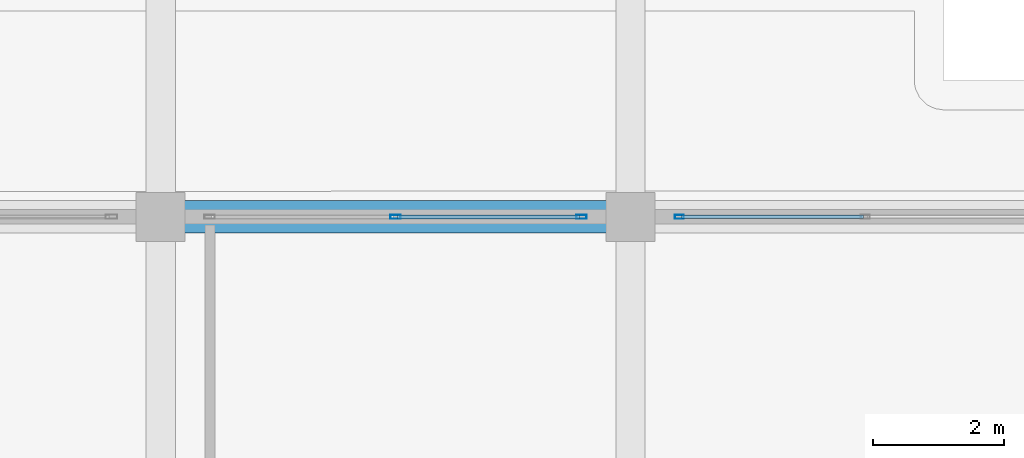
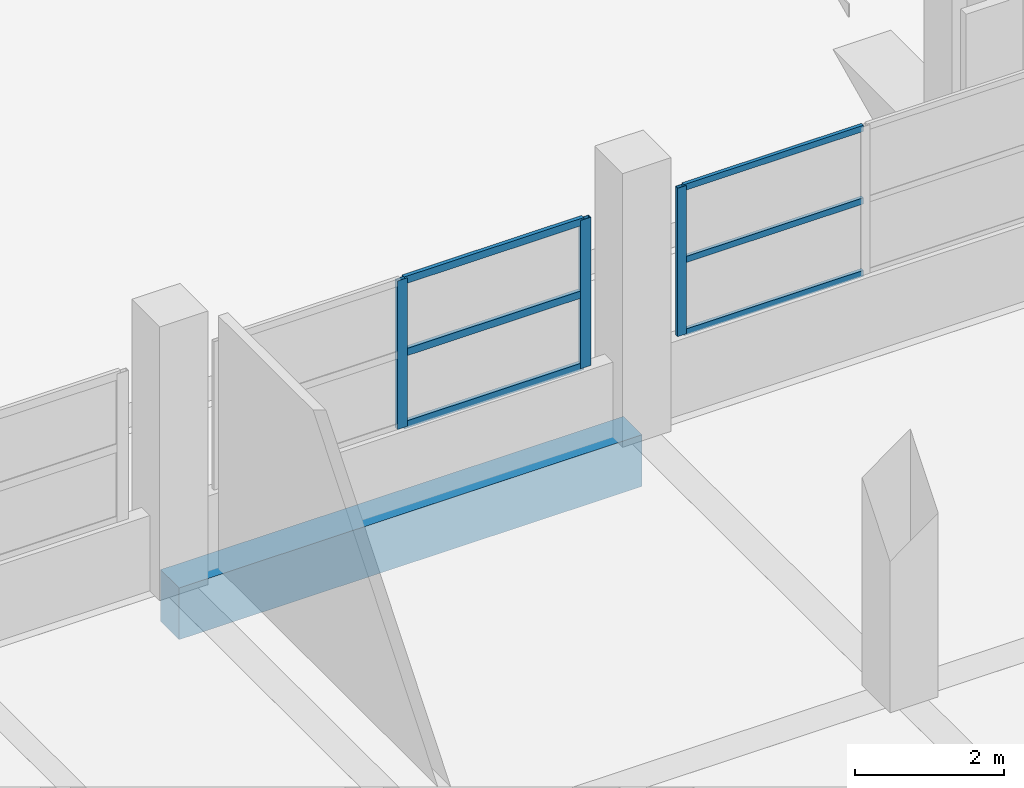
# One storey, part 66 of 141: 9 members, 1 beam, 2 elements without a shape of their own.
"""IFC4 building model written with IfcOpenShell, lengths in metres."""

from ifc_helpers import new_model, si_unit, direction, frame, origin, origin_2d, place, context, subcontext, project, spatial, rectangle, hollow_rectangle, extrude, material, layer, layer_set, material_profile, profile_set, type_object, element, aggregate, save


model = new_model("IFC4")

# Units and contexts
model_context = context("Model", 3, precision=1e-05, world=origin(), true_north=direction((0.0, 1.0)))
body_context = subcontext(model_context, "Body", "Model", "MODEL_VIEW")
ifc_project = project(units=[si_unit("LENGTHUNIT", "METRE"), si_unit("AREAUNIT", "SQUARE_METRE"), si_unit("VOLUMEUNIT", "CUBIC_METRE"), si_unit("PLANEANGLEUNIT", "RADIAN"), si_unit("MASSUNIT", "GRAM", prefix="KILO")], contexts=[model_context])

# Site, building, storey
site_placement = place(None, origin())
site = spatial("IfcSite", under=ifc_project, at=site_placement, CompositionType="ELEMENT")
building_placement = place(site_placement, origin())
building = spatial("IfcBuilding", under=site, at=building_placement, Name="Seraya Terrace Polytechnic", CompositionType="ELEMENT")
storey_placement = place(building_placement, frame((0.0, 0.0, 14.39990234375)))
storey = spatial("IfcBuildingStorey", under=building, at=storey_placement, Name="L03", CompositionType="ELEMENT", Elevation=14.39990234375)

# Beam
ifc_material_1 = material(Name="Concrete C40/50", Category="concrete")
ifc_material_profile_1 = material_profile(ifc_material_1, rectangle(XDim=0.5, YDim=0.85009765625, at=origin_2d()), Name="RC 500x850")
ifc_profile_set_1 = profile_set([ifc_material_profile_1], Name="Concrete C40/50")
beam_type = type_object("IfcBeamType", Name="BM-05", PredefinedType="BEAM", material=ifc_profile_set_1)
beam_placement = place(storey_placement, frame((28.800048828125, 72.0, -0.4248046875), z_axis=(1.0, 0.0, 0.0), x_axis=(0.0, 1.0, 0.0)))
element("IfcBeam", 1, at=beam_placement, inside=storey, type_object=beam_type, Name="Beam BM-05 L03 X (28.8..36.0, 72.0)", PredefinedType="BEAM", context=body_context, shape_type="SweptSolid", body=[
    extrude(rectangle(XDim=0.5, YDim=0.85009765625, at=origin_2d()), origin(), (0.0, 0.0, 1.0), 7.199951171875),
])

# Curtain wall, members
ifc_material_2 = material(Name="Anodised aluminium EN AW-6063 T6", Category="aluminium")
ifc_layer_1 = layer(ifc_material_2, 0.179931640625, Name="CW-08")
ifc_layer_set_1 = layer_set([ifc_layer_1], Name="Anodised aluminium EN AW-6063 T6")
curtain_wall_type_1 = type_object("IfcCurtainWallType", Name="CW-08", PredefinedType="NOTDEFINED", material=ifc_layer_set_1)
curtain_wall_1_placement = place(storey_placement, origin())
curtain_wall_1 = element("IfcCurtainWall", 2, at=curtain_wall_1_placement, inside=storey, type_object=curtain_wall_type_1, Name="Unitised curtain wall CW-08 (CW-L03-116)", PredefinedType="NOTDEFINED")
ifc_material_profile_2 = material_profile(ifc_material_2, hollow_rectangle(XDim=0.06005859375, YDim=0.159912109375, WallThickness=0.00341796875, at=origin_2d()), Name="RHS 160x60x3.5")
ifc_profile_set_2 = profile_set([ifc_material_profile_2], Name="Anodised aluminium EN AW-6063 T6")
member_type_1 = type_object("IfcMemberType", Name="CWM-02", PredefinedType="MULLION", material=ifc_profile_set_2)
member_1_placement = place(storey_placement, frame((32.39990234375, 72.0, 1.239990234375), z_axis=(0.0, 0.0, 1.0), x_axis=(0.0, 1.0, 0.0)))
member_1 = element("IfcMember", 3, at=member_1_placement, type_object=member_type_1, Name="CW-08 mullion 2", PredefinedType="MULLION", context=body_context, shape_type="SweptSolid", body=[
    extrude(hollow_rectangle(XDim=0.06005859375, YDim=0.159912109375, WallThickness=0.00341796875, at=origin_2d()), origin(), (0.0, 0.0, 1.0), 2.440185546875),
])
member_2_placement = place(storey_placement, frame((35.25, 72.0, 1.239990234375), z_axis=(0.0, 0.0, 1.0), x_axis=(0.0, 1.0, 0.0)))
member_2 = element("IfcMember", 4, at=member_2_placement, type_object=member_type_1, Name="CW-08 mullion 3", PredefinedType="MULLION", context=body_context, shape_type="SweptSolid", body=[
    extrude(hollow_rectangle(XDim=0.06005859375, YDim=0.159912109375, WallThickness=0.00341796875, at=origin_2d()), origin(), (0.0, 0.0, 1.0), 2.440185546875),
])

# Curtain wall, member
ifc_layer_2 = layer(ifc_material_2, 0.179931640625, Name="CW-09")
ifc_layer_set_2 = layer_set([ifc_layer_2], Name="Anodised aluminium EN AW-6063 T6")
curtain_wall_type_2 = type_object("IfcCurtainWallType", Name="CW-09", PredefinedType="NOTDEFINED", material=ifc_layer_set_2)
curtain_wall_2_placement = place(storey_placement, origin())
curtain_wall_2 = element("IfcCurtainWall", 5, at=curtain_wall_2_placement, inside=storey, type_object=curtain_wall_type_2, Name="Unitised curtain wall CW-09 (CW-L03-117)", PredefinedType="NOTDEFINED")
ifc_material_profile_3 = material_profile(ifc_material_2, hollow_rectangle(XDim=0.06005859375, YDim=0.139892578125, WallThickness=0.00341796875, at=origin_2d()), Name="RHS 140x60x3.5")
ifc_profile_set_3 = profile_set([ifc_material_profile_3], Name="Anodised aluminium EN AW-6063 T6")
member_type_2 = type_object("IfcMemberType", Name="CWM-03", PredefinedType="MULLION", material=ifc_profile_set_3)
member_3_placement = place(storey_placement, frame((36.75, 72.0, 1.239990234375), z_axis=(0.0, 0.0, 1.0), x_axis=(0.0, 1.0, 0.0)))
member_3 = element("IfcMember", 6, at=member_3_placement, type_object=member_type_2, Name="CW-09 mullion 1", PredefinedType="MULLION", context=body_context, shape_type="SweptSolid", body=[
    extrude(hollow_rectangle(XDim=0.06005859375, YDim=0.139892578125, WallThickness=0.00341796875, at=origin_2d()), origin(), (0.0, 0.0, 1.0), 2.440185546875),
])

# Member
ifc_material_profile_4 = material_profile(ifc_material_2, hollow_rectangle(XDim=0.06005859375, YDim=0.1201171875, WallThickness=0.003173828125, at=origin_2d()), Name="RHS 120x60x3.2")
ifc_profile_set_4 = profile_set([ifc_material_profile_4], Name="Anodised aluminium EN AW-6063 T6")
member_type_3 = type_object("IfcMemberType", Name="CWT-02", PredefinedType="USERDEFINED", material=ifc_profile_set_4)
member_4_placement = place(storey_placement, frame((32.429931640625, 72.0, 1.27001953125), z_axis=(1.0, 0.0, 0.0), x_axis=(0.0, 1.0, 0.0)))
member_4 = element("IfcMember", 7, at=member_4_placement, type_object=member_type_3, Name="CW-08 transom 2.1", ObjectType="TRANSOM", PredefinedType="USERDEFINED", context=body_context, shape_type="SweptSolid", body=[
    extrude(hollow_rectangle(XDim=0.06005859375, YDim=0.1201171875, WallThickness=0.003173828125, at=origin_2d()), origin(), (0.0, 0.0, 1.0), 2.7900390625),
])

member_5_placement = place(storey_placement, frame((32.429931640625, 72.0, 2.460205078125), z_axis=(1.0, 0.0, 0.0), x_axis=(0.0, 1.0, 0.0)))
member_5 = element("IfcMember", 8, at=member_5_placement, type_object=member_type_3, Name="CW-08 transom 2.2", ObjectType="TRANSOM", PredefinedType="USERDEFINED", context=body_context, shape_type="SweptSolid", body=[
    extrude(hollow_rectangle(XDim=0.06005859375, YDim=0.1201171875, WallThickness=0.003173828125, at=origin_2d()), origin(), (0.0, 0.0, 1.0), 2.7900390625),
])

member_6_placement = place(storey_placement, frame((32.429931640625, 72.0, 3.650146484375), z_axis=(1.0, 0.0, 0.0), x_axis=(0.0, 1.0, 0.0)))
member_6 = element("IfcMember", 9, at=member_6_placement, type_object=member_type_3, Name="CW-08 transom 2.3", ObjectType="TRANSOM", PredefinedType="USERDEFINED", context=body_context, shape_type="SweptSolid", body=[
    extrude(hollow_rectangle(XDim=0.06005859375, YDim=0.1201171875, WallThickness=0.003173828125, at=origin_2d()), origin(), (0.0, 0.0, 1.0), 2.7900390625),
])

aggregate(curtain_wall_1, [member_1, member_2, member_4, member_5, member_6])

ifc_material_profile_5 = material_profile(ifc_material_2, hollow_rectangle(XDim=0.054931640625, YDim=0.10009765625, WallThickness=0.0029296875, at=origin_2d()), Name="RHS 100x55x3.0")
ifc_profile_set_5 = profile_set([ifc_material_profile_5], Name="Anodised aluminium EN AW-6063 T6")
member_type_4 = type_object("IfcMemberType", Name="CWT-03", PredefinedType="USERDEFINED", material=ifc_profile_set_5)
member_7_placement = place(storey_placement, frame((36.780029296875, 72.0, 1.267578125), z_axis=(1.0, 0.0, 0.0), x_axis=(0.0, 1.0, 0.0)))
member_7 = element("IfcMember", 10, at=member_7_placement, type_object=member_type_4, Name="CW-09 transom 1.1", ObjectType="TRANSOM", PredefinedType="USERDEFINED", context=body_context, shape_type="SweptSolid", body=[
    extrude(hollow_rectangle(XDim=0.054931640625, YDim=0.10009765625, WallThickness=0.0029296875, at=origin_2d()), origin(), (0.0, 0.0, 1.0), 2.7900390625),
])

member_8_placement = place(storey_placement, frame((36.780029296875, 72.0, 2.460205078125), z_axis=(1.0, 0.0, 0.0), x_axis=(0.0, 1.0, 0.0)))
member_8 = element("IfcMember", 11, at=member_8_placement, type_object=member_type_4, Name="CW-09 transom 1.2", ObjectType="TRANSOM", PredefinedType="USERDEFINED", context=body_context, shape_type="SweptSolid", body=[
    extrude(hollow_rectangle(XDim=0.054931640625, YDim=0.10009765625, WallThickness=0.0029296875, at=origin_2d()), origin(), (0.0, 0.0, 1.0), 2.7900390625),
])

member_9_placement = place(storey_placement, frame((36.780029296875, 72.0, 3.652587890625), z_axis=(1.0, 0.0, 0.0), x_axis=(0.0, 1.0, 0.0)))
member_9 = element("IfcMember", 12, at=member_9_placement, type_object=member_type_4, Name="CW-09 transom 1.3", ObjectType="TRANSOM", PredefinedType="USERDEFINED", context=body_context, shape_type="SweptSolid", body=[
    extrude(hollow_rectangle(XDim=0.054931640625, YDim=0.10009765625, WallThickness=0.0029296875, at=origin_2d()), origin(), (0.0, 0.0, 1.0), 2.7900390625),
])

aggregate(curtain_wall_2, [member_3, member_7, member_8, member_9])

save(model, "model.ifc")
